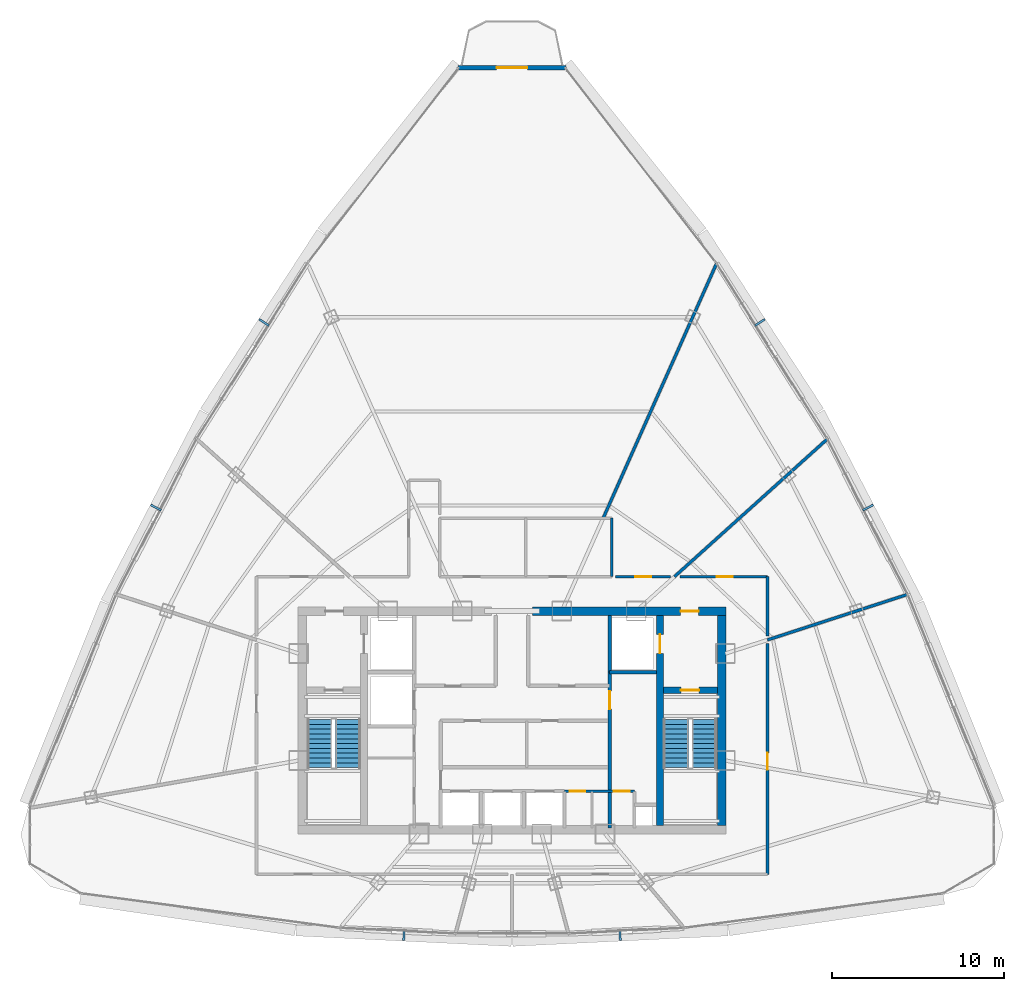
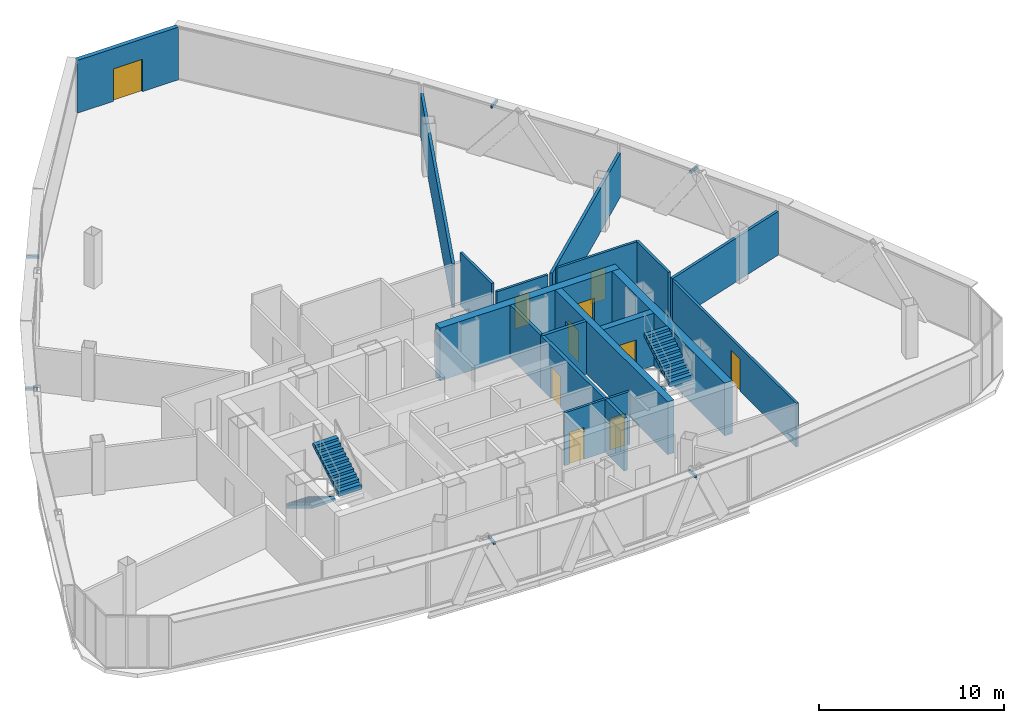
# One storey, part 23 of 26: 17 walls, 10 doors, 6 discrete accessories, 4 stair flights, 10 openings, 2 elements without a shape of their own.
"""IFC4 building model written with IfcOpenShell, lengths in metres."""

from ifc_helpers import new_model, si_unit, direction, frame, frame_2d, origin, origin_with_axes, origin_2d, place, context, subcontext, project, spatial, polyline, rectangle, outline, extrude, source, transform, mapped, material, layer, layer_set, type_object, element, fill, aggregate, save


model = new_model("IFC4")

# Units and contexts
model_context = context("Model", 3, precision=1e-05, world=origin(), true_north=direction((0.0, 1.0)))
body_context = subcontext(model_context, "Body", "Model", "MODEL_VIEW")
ifc_project = project(units=[si_unit("LENGTHUNIT", "METRE"), si_unit("AREAUNIT", "SQUARE_METRE"), si_unit("VOLUMEUNIT", "CUBIC_METRE"), si_unit("PLANEANGLEUNIT", "RADIAN"), si_unit("MASSUNIT", "GRAM", prefix="KILO"), si_unit("THERMODYNAMICTEMPERATUREUNIT", "KELVIN"), si_unit("POWERUNIT", "WATT")], contexts=[model_context])

# Site, building, storey
site_placement = place(None, origin())
site = spatial("IfcSite", under=ifc_project, at=site_placement, CompositionType="ELEMENT")
building_placement = place(site_placement, origin())
building = spatial("IfcBuilding", under=site, at=building_placement, Name="Yunzhuo Pagoda Commons", CompositionType="ELEMENT")
storey_placement = place(building_placement, frame((0.0, 0.0, 340.510009765625)))
storey = spatial("IfcBuildingStorey", under=building, at=storey_placement, Name="L85", CompositionType="ELEMENT", Elevation=340.510009765625)

# Wall, opening, door
ifc_material_1 = material(Name="Precast concrete C40", Category="concrete")
ifc_layer_1 = layer(ifc_material_1, 0.260009765625)
ifc_layer_set_1 = layer_set([ifc_layer_1], Name="Precast concrete C40")
wall_type_1 = type_object("IfcWallType", Name="W-BAL1 Corner Balcony Threshold Wall 260", PredefinedType="STANDARD", material=ifc_layer_set_1)
wall_1_placement = place(storey_placement, frame((51.146484375, 71.78125, 0.0), z_axis=(0.0, 0.0, 1.0), x_axis=(-1.0, 0.0, 0.0)))
wall_1 = element("IfcWall", 1, at=wall_1_placement, inside=storey, type_object=wall_type_1, Name="L85 corner balcony wall V3", PredefinedType="STANDARD", context=body_context, shape_type="SweptSolid", body=[
    extrude(rectangle(XDim=6.29296875, YDim=0.260009765625, at=frame_2d((3.146484375, 0.0))), origin(), (0.0, 0.0, 1.0), 3.489990234375),
])
opening_1_placement = place(wall_1_placement, frame((2.246337890625, 0.0, 0.0)))
opening_1 = element("IfcOpeningElement", 2, at=opening_1_placement, cuts=wall_1, Name="Opening D-BAL1", PredefinedType="OPENING", context=body_context, shape_type="SweptSolid", body=[
    extrude(rectangle(XDim=1.800048828125, YDim=2.14990234375, at=frame_2d((0.89990234375, 1.074951171875))), frame((0.0, 0.14013671875, 0.0), z_axis=(0.0, -1.0, 0.0), x_axis=(1.0, 0.0, 0.0)), (0.0, 0.0, 1.0), 0.280029296875),
])
ifc_material_2 = material(Name="Anodized aluminium frame and tempered glazed leaf", Category="aluminium")
door_type_1 = type_object("IfcDoorType", Name="D-BAL1 Corner Balcony Sliding Glazed Door 1800x2150", OperationType="DOUBLE_DOOR_SLIDING", PredefinedType="DOOR", material=ifc_material_2)
shared_shape_1 = source(origin(), body_context, "Body", "SweptSolid", [
    extrude(rectangle(XDim=1.800048828125, YDim=2.14990234375, at=frame_2d((0.89990234375, 1.074951171875))), frame((0.0, 0.02490234375, 0.0), z_axis=(0.0, -1.0, 0.0), x_axis=(1.0, 0.0, 0.0)), (0.0, 0.0, 1.0), 0.050048828125),
])
door_1_placement = place(opening_1_placement, origin_with_axes())
door_1 = element("IfcDoor", 3, at=door_1_placement, inside=storey, type_object=door_type_1, Name="L85 corner balcony sliding door V3", OperationType="DOUBLE_DOOR_SLIDING", OverallHeight=2.14990234375, OverallWidth=1.800048828125, PredefinedType="DOOR", context=body_context, shape_type="MappedRepresentation", body=[
    mapped(shared_shape_1, transform((0.0, 0.0, 0.0), scale=1.0)),
])
fill(opening_1, door_1)

ifc_material_3 = material(Name="Concrete C50", Category="concrete")
ifc_layer_2 = layer(ifc_material_3, 0.5)
ifc_layer_set_2 = layer_set([ifc_layer_2], Name="Concrete C50")
wall_type_2 = type_object("IfcWallType", Name="W-C03 Upper Core Shear Wall 500", PredefinedType="SHEAR", material=ifc_layer_set_2)
wall_2_placement = place(storey_placement, frame((49.199951171875, 40.199951171875, 0.0), z_axis=(0.0, 0.0, 1.0), x_axis=(1.0, 0.0, 0.0)))
wall_2 = element("IfcWall", 4, at=wall_2_placement, inside=storey, type_object=wall_type_2, Name="L85 core shear wall NE", PredefinedType="SHEAR", context=body_context, shape_type="SweptSolid", body=[
    extrude(rectangle(XDim=11.25, YDim=0.5, at=frame_2d((5.625, 0.0))), origin(), (0.0, 0.0, 1.0), 3.489990234375),
])
opening_2_placement = place(wall_2_placement, frame((8.60009765625, 0.0, 0.0)))
opening_2 = element("IfcOpeningElement", 5, at=opening_2_placement, cuts=wall_2, Name="Opening D-02", PredefinedType="OPENING", context=body_context, shape_type="SweptSolid", body=[
    extrude(rectangle(XDim=1.050048828125, YDim=2.10009765625, at=frame_2d((0.52490234375, 1.050048828125))), frame((0.0, 0.260009765625, 0.0), z_axis=(0.0, -1.0, 0.0), x_axis=(1.0, 0.0, 0.0)), (0.0, 0.0, 1.0), 0.52001953125),
])
ifc_material_4 = material(Name="Galvanized fire-resisting metal leaf")
door_type_2 = type_object("IfcDoorType", Name="D-02 Firefighting Lobby & Refuge Fire Door 1050x2100", OperationType="NOTDEFINED", PredefinedType="DOOR", material=ifc_material_4)
shared_shape_2 = source(origin(), body_context, "Body", "SweptSolid", [
    extrude(rectangle(XDim=1.050048828125, YDim=2.10009765625, at=frame_2d((0.52490234375, 1.050048828125))), frame((0.0, 0.02490234375, 0.0), z_axis=(0.0, -1.0, 0.0), x_axis=(1.0, 0.0, 0.0)), (0.0, 0.0, 1.0), 0.050048828125),
])
door_2_placement = place(opening_2_placement, frame((1.050048828125, 0.0, 0.0), z_axis=(0.0, 0.0, 1.0), x_axis=(-1.0, 0.0, 0.0)))
door_2 = element("IfcDoor", 6, at=door_2_placement, inside=storey, type_object=door_type_2, Name="L85 Firefighting Lobby 2 fire door", OperationType="SINGLE_SWING_RIGHT", OverallHeight=2.10009765625, OverallWidth=1.050048828125, PredefinedType="DOOR", context=body_context, shape_type="MappedRepresentation", body=[
    mapped(shared_shape_2, transform((0.0, 0.0, 0.0), scale=1.0)),
])
fill(opening_2, door_2)

# Wall
wall_3_placement = place(storey_placement, frame((60.199951171875, 27.75, 0.0), z_axis=(0.0, 0.0, 1.0), x_axis=(0.0, 1.0, 0.0)))
element("IfcWall", 7, at=wall_3_placement, inside=storey, type_object=wall_type_2, Name="L85 core shear wall E", PredefinedType="SHEAR", context=body_context, shape_type="SweptSolid", body=[
    extrude(rectangle(XDim=12.199951171875, YDim=0.5, at=frame_2d((6.10009765625, 0.0))), origin(), (0.0, 0.0, 1.0), 3.489990234375),
])

# Wall, openings, doors
ifc_material_5 = material(Name="Gypsum plasterboard on acoustic stud")
ifc_layer_3 = layer(ifc_material_5, 0.14990234375)
ifc_layer_set_3 = layer_set([ifc_layer_3], Name="Gypsum plasterboard on acoustic stud")
wall_type_3 = type_object("IfcWallType", Name="W-COR3 High-Zone Rated Corridor Wall 150", PredefinedType="PARTITIONING", material=ifc_layer_set_3)
wall_4_placement = place(storey_placement, frame((51.050048828125, 29.719970703125, 0.0), z_axis=(0.0, 0.0, 1.0), x_axis=(1.0, 0.0, 0.0)))
wall_4 = element("IfcWall", 8, at=wall_4_placement, inside=storey, type_object=wall_type_3, Name="L85 interior wall IW-L85-CSES", PredefinedType="PARTITIONING", context=body_context, shape_type="SweptSolid", body=[
    extrude(rectangle(XDim=4.070068359375, YDim=0.14990234375, at=frame_2d((2.03515625, 0.0))), origin(), (0.0, 0.0, 1.0), 3.489990234375),
])
opening_3_placement = place(wall_4_placement, frame((0.300048828125, 0.0, 0.0)))
opening_3 = element("IfcOpeningElement", 9, at=opening_3_placement, cuts=wall_4, Name="Opening D-03", PredefinedType="OPENING", context=body_context, shape_type="SweptSolid", body=[
    extrude(rectangle(XDim=0.89990234375, YDim=2.10009765625, at=frame_2d((0.449951171875, 1.050048828125))), frame((0.0, 0.0849609375, 0.0), z_axis=(0.0, -1.0, 0.0), x_axis=(1.0, 0.0, 0.0)), (0.0, 0.0, 1.0), 0.169921875),
])
opening_4_placement = place(wall_4_placement, frame((2.860107421875, 0.0, 0.0)))
opening_4 = element("IfcOpeningElement", 10, at=opening_4_placement, cuts=wall_4, Name="Opening D-11", PredefinedType="OPENING", context=body_context, shape_type="SweptSolid", body=[
    extrude(rectangle(XDim=0.93994140625, YDim=2.10009765625, at=frame_2d((0.469970703125, 1.050048828125))), frame((0.0, 0.0849609375, 0.0), z_axis=(0.0, -1.0, 0.0), x_axis=(1.0, 0.0, 0.0)), (0.0, 0.0, 1.0), 0.169921875),
])
door_type_3 = type_object("IfcDoorType", Name="D-03 Core Service Fire Door 900x2100", OperationType="NOTDEFINED", PredefinedType="DOOR", material=ifc_material_4)
shared_shape_3 = source(origin(), body_context, "Body", "SweptSolid", [
    extrude(rectangle(XDim=0.89990234375, YDim=2.10009765625, at=frame_2d((0.449951171875, 1.050048828125))), frame((0.0, 0.02490234375, 0.0), z_axis=(0.0, -1.0, 0.0), x_axis=(1.0, 0.0, 0.0)), (0.0, 0.0, 1.0), 0.050048828125),
])
door_3_placement = place(opening_3_placement, origin_with_axes())
door_3 = element("IfcDoor", 11, at=door_3_placement, inside=storey, type_object=door_type_3, Name="L85 cleaner door", OperationType="SINGLE_SWING_LEFT", OverallHeight=2.10009765625, OverallWidth=0.89990234375, PredefinedType="DOOR", context=body_context, shape_type="MappedRepresentation", body=[
    mapped(shared_shape_3, transform((0.0, 0.0, 0.0), scale=1.0)),
])
fill(opening_3, door_3)
door_type_4 = type_object("IfcDoorType", Name="D-11 Accessible Washroom Fire Door 940x2100", OperationType="NOTDEFINED", PredefinedType="DOOR", material=ifc_material_4)
shared_shape_4 = source(origin(), body_context, "Body", "SweptSolid", [
    extrude(rectangle(XDim=0.93994140625, YDim=2.10009765625, at=frame_2d((0.469970703125, 1.050048828125))), frame((0.0, 0.02490234375, 0.0), z_axis=(0.0, -1.0, 0.0), x_axis=(1.0, 0.0, 0.0)), (0.0, 0.0, 1.0), 0.050048828125),
])
door_4_placement = place(opening_4_placement, origin_with_axes())
door_4 = element("IfcDoor", 12, at=door_4_placement, inside=storey, type_object=door_type_4, Name="L85 core WC door", OperationType="SINGLE_SWING_RIGHT", OverallHeight=2.10009765625, OverallWidth=0.93994140625, PredefinedType="DOOR", context=body_context, shape_type="MappedRepresentation", body=[
    mapped(shared_shape_4, transform((0.0, 0.0, 0.0), scale=1.0)),
])
fill(opening_4, door_4)

# Wall
wall_5_placement = place(storey_placement, frame((53.800048828125, 42.199951171875, 0.0), z_axis=(0.0, 0.0, 1.0), x_axis=(0.0, 1.0, 0.0)))
element("IfcWall", 13, at=wall_5_placement, inside=storey, type_object=wall_type_3, Name="L85 interior wall IW-L85-TFEE", PredefinedType="PARTITIONING", context=body_context, shape_type="SweptSolid", body=[
    extrude(rectangle(XDim=3.400146484375, YDim=0.14990234375, at=frame_2d((1.7001953125, 0.0))), origin(), (0.0, 0.0, 1.0), 3.489990234375),
])

# Wall, opening, door
wall_6_placement = place(storey_placement, frame((54.02001953125, 42.199951171875, 0.0), z_axis=(0.0, 0.0, 1.0), x_axis=(1.0, 0.0, 0.0)))
wall_6 = element("IfcWall", 14, at=wall_6_placement, inside=storey, type_object=wall_type_3, Name="L85 interior wall IW-L85-CWL09", PredefinedType="PARTITIONING", context=body_context, shape_type="SweptSolid", body=[
    extrude(rectangle(XDim=3.200439453125, YDim=0.14990234375, at=frame_2d((1.60009765625, 0.0))), origin(), (0.0, 0.0, 1.0), 2.889892578125),
])
opening_5_placement = place(wall_6_placement, frame((1.14013671875, 0.0, 0.0)))
opening_5 = element("IfcOpeningElement", 15, at=opening_5_placement, cuts=wall_6, Name="Opening D-04", PredefinedType="OPENING", context=body_context, shape_type="SweptSolid", body=[
    extrude(rectangle(XDim=0.919921875, YDim=2.10009765625, at=frame_2d((0.4599609375, 1.050048828125))), frame((0.0, 0.0849609375, 0.0), z_axis=(0.0, -1.0, 0.0), x_axis=(1.0, 0.0, 0.0)), (0.0, 0.0, 1.0), 0.169921875),
])
ifc_material_6 = material(Name="Powder-coated aluminium and timber acoustic leaf", Category="wood")
door_type_5 = type_object("IfcDoorType", Name="D-04 Bedroom & Study Interior Door 920x2100", OperationType="NOTDEFINED", PredefinedType="DOOR", material=ifc_material_6)
shared_shape_5 = source(origin(), body_context, "Body", "SweptSolid", [
    extrude(rectangle(XDim=0.919921875, YDim=2.10009765625, at=frame_2d((0.4599609375, 1.050048828125))), frame((0.0, 0.02490234375, 0.0), z_axis=(0.0, -1.0, 0.0), x_axis=(1.0, 0.0, 0.0)), (0.0, 0.0, 1.0), 0.050048828125),
])
door_5_placement = place(opening_5_placement, origin_with_axes())
door_5 = element("IfcDoor", 16, at=door_5_placement, inside=storey, type_object=door_type_5, Name="L85 seminar room 02 door", OperationType="SINGLE_SWING_LEFT", OverallHeight=2.10009765625, OverallWidth=0.919921875, PredefinedType="DOOR", context=body_context, shape_type="MappedRepresentation", body=[
    mapped(shared_shape_5, transform((0.0, 0.0, 0.0), scale=1.0)),
])
fill(opening_5, door_5)

wall_7_placement = place(storey_placement, frame((57.76904296875, 42.199951171875, 0.0), z_axis=(0.0, 0.0, 1.0), x_axis=(1.0, 0.0, 0.0)))
wall_7 = element("IfcWall", 17, at=wall_7_placement, inside=storey, type_object=wall_type_3, Name="L85 interior wall IW-L85-CWL10", PredefinedType="PARTITIONING", context=body_context, shape_type="SweptSolid", body=[
    extrude(rectangle(XDim=5.0810546875, YDim=0.14990234375, at=frame_2d((2.54052734375, 0.0))), origin(), (0.0, 0.0, 1.0), 3.139892578125),
])
opening_6_placement = place(wall_7_placement, frame((2.14599609375, 0.0, 0.0)))
opening_6 = element("IfcOpeningElement", 18, at=opening_6_placement, cuts=wall_7, Name="Opening D-04", PredefinedType="OPENING", context=body_context, shape_type="SweptSolid", body=[
    extrude(rectangle(XDim=0.919921875, YDim=2.10009765625, at=frame_2d((0.4599609375, 1.050048828125))), frame((0.0, 0.0849609375, 0.0), z_axis=(0.0, -1.0, 0.0), x_axis=(1.0, 0.0, 0.0)), (0.0, 0.0, 1.0), 0.169921875),
])
door_6_placement = place(opening_6_placement, origin_with_axes())
door_6 = element("IfcDoor", 19, at=door_6_placement, inside=storey, type_object=door_type_5, Name="L85 seminar room 01 door", OperationType="SINGLE_SWING_RIGHT", OverallHeight=2.10009765625, OverallWidth=0.919921875, PredefinedType="DOOR", context=body_context, shape_type="MappedRepresentation", body=[
    mapped(shared_shape_5, transform((0.0, 0.0, 0.0), scale=1.0)),
])
fill(opening_6, door_6)

# Wall
wall_8_placement = place(storey_placement, frame((62.85009765625, 42.199951171875, 0.0), z_axis=(0.0, 0.0, 1.0), x_axis=(0.0, -1.0, 0.0)))
element("IfcWall", 20, at=wall_8_placement, inside=storey, type_object=wall_type_3, Name="L85 interior wall IW-L85-CWL11", PredefinedType="PARTITIONING", context=body_context, shape_type="SweptSolid", body=[
    extrude(rectangle(XDim=3.443603515625, YDim=0.14990234375, at=frame_2d((1.7216796875, 0.0))), origin(), (0.0, 0.0, 1.0), 3.139892578125),
])

# Wall, opening, door
wall_9_placement = place(storey_placement, frame((62.85009765625, 38.305419921875, 0.0), z_axis=(0.0, 0.0, 1.0), x_axis=(0.0, -1.0, 0.0)))
wall_9 = element("IfcWall", 21, at=wall_9_placement, inside=storey, type_object=wall_type_3, Name="L85 interior wall IW-L85-CWL12", PredefinedType="PARTITIONING", context=body_context, shape_type="SweptSolid", body=[
    extrude(rectangle(XDim=13.405517578125, YDim=0.14990234375, at=frame_2d((6.70263671875, 0.0))), origin(), (0.0, 0.0, 1.0), 2.889892578125),
])
opening_7_placement = place(wall_9_placement, frame((6.347900390625, 0.0, 0.0)))
opening_7 = element("IfcOpeningElement", 22, at=opening_7_placement, cuts=wall_9, Name="Opening D-08", PredefinedType="OPENING", context=body_context, shape_type="SweptSolid", body=[
    extrude(rectangle(XDim=0.97998046875, YDim=2.1201171875, at=frame_2d((0.489990234375, 1.06005859375))), frame((0.0, 0.0849609375, 0.0), z_axis=(0.0, -1.0, 0.0), x_axis=(1.0, 0.0, 0.0)), (0.0, 0.0, 1.0), 0.169921875),
])
door_type_6 = type_object("IfcDoorType", Name="D-08 High-Zone Suite Entrance Fire Door 980x2120", OperationType="NOTDEFINED", PredefinedType="DOOR", material=ifc_material_4)
shared_shape_6 = source(origin(), body_context, "Body", "SweptSolid", [
    extrude(rectangle(XDim=0.97998046875, YDim=2.1201171875, at=frame_2d((0.489990234375, 1.06005859375))), frame((0.0, 0.02490234375, 0.0), z_axis=(0.0, -1.0, 0.0), x_axis=(1.0, 0.0, 0.0)), (0.0, 0.0, 1.0), 0.050048828125),
])
door_7_placement = place(opening_7_placement, origin_with_axes())
door_7 = element("IfcDoor", 23, at=door_7_placement, inside=storey, type_object=door_type_6, Name="L85 Academic Reading Commons 2 door", OperationType="SINGLE_SWING_LEFT", OverallHeight=2.1201171875, OverallWidth=0.97998046875, PredefinedType="DOOR", context=body_context, shape_type="MappedRepresentation", body=[
    mapped(shared_shape_6, transform((0.0, 0.0, 0.0), scale=1.0)),
])
fill(opening_7, door_7)

# Walls
ifc_layer_4 = layer(ifc_material_5, 0.169921875)
ifc_layer_set_4 = layer_set([ifc_layer_4], Name="Gypsum plasterboard on acoustic stud")
wall_type_4 = type_object("IfcWallType", Name="W-PRT4 High-Zone Demising Wall 170", PredefinedType="PARTITIONING", material=ifc_layer_set_4)
wall_10_placement = place(storey_placement, frame((62.85009765625, 38.525146484375, 0.0), z_axis=(0.0, 0.0, 1.0), x_axis=(0.951059599238, 0.309007505891, 0.0)))
element("IfcWall", 24, at=wall_10_placement, inside=storey, type_object=wall_type_4, Name="L85 interior wall IW-L85-RAD01", PredefinedType="PARTITIONING", context=body_context, shape_type="SweptSolid", body=[
    extrude(rectangle(XDim=8.572265625, YDim=0.169921875, at=frame_2d((4.2861328125, 0.0))), origin(), (0.0, 0.0, 1.0), 2.889892578125),
])
wall_11_placement = place(storey_placement, frame((57.440185546875, 42.199951171875, 0.0), z_axis=(0.0, 0.0, 1.0), x_axis=(0.743141978473, 0.669133768264, 0.0)))
element("IfcWall", 25, at=wall_11_placement, inside=storey, type_object=wall_type_4, Name="L85 interior wall IW-L85-RAD02", PredefinedType="PARTITIONING", context=body_context, shape_type="SweptSolid", body=[
    extrude(rectangle(XDim=11.96826171875, YDim=0.169921875, at=frame_2d((5.984130859375, 0.0))), origin(), (0.0, 0.0, 1.0), 2.889892578125),
])
wall_12_placement = place(storey_placement, frame((53.298095703125, 45.60009765625, 0.0), z_axis=(0.0, 0.0, 1.0), x_axis=(0.40675009841, 0.913539466823, 0.0)))
element("IfcWall", 26, at=wall_12_placement, inside=storey, type_object=wall_type_4, Name="L85 interior wall IW-L85-RAD03", PredefinedType="PARTITIONING", context=body_context, shape_type="SweptSolid", body=[
    extrude(rectangle(XDim=16.21923828125, YDim=0.169921875, at=frame_2d((8.109619140625, 0.0))), origin(), (0.0, 0.0, 1.0), 2.889892578125),
])

# Wall, opening, door
ifc_material_7 = material(Name="Concrete C60", Category="concrete")
ifc_layer_5 = layer(ifc_material_7, 0.39990234375)
ifc_layer_set_5 = layer_set([ifc_layer_5], Name="Concrete C60")
wall_type_5 = type_object("IfcWallType", Name="W-S01 Internal Core Shear Web 400", PredefinedType="SHEAR", material=ifc_layer_set_5)
wall_13_placement = place(storey_placement, frame((56.60009765625, 27.75, 0.0), z_axis=(0.0, 0.0, 1.0), x_axis=(0.0, 1.0, 0.0)))
wall_13 = element("IfcWall", 27, at=wall_13_placement, inside=storey, type_object=wall_type_5, Name="L85 core shear wall WEBE", PredefinedType="SHEAR", context=body_context, shape_type="SweptSolid", body=[
    extrude(rectangle(XDim=12.199951171875, YDim=0.39990234375, at=frame_2d((6.10009765625, 0.0))), origin(), (0.0, 0.0, 1.0), 3.489990234375),
])
opening_8_placement = place(wall_13_placement, frame((10.0, 0.0, 0.0)))
opening_8 = element("IfcOpeningElement", 28, at=opening_8_placement, cuts=wall_13, Name="Opening LD-01", PredefinedType="OPENING", context=body_context, shape_type="SweptSolid", body=[
    extrude(rectangle(XDim=1.10009765625, YDim=2.10009765625, at=frame_2d((0.550048828125, 1.050048828125))), frame((0.0, 0.2099609375, 0.0), z_axis=(0.0, -1.0, 0.0), x_axis=(1.0, 0.0, 0.0)), (0.0, 0.0, 1.0), 0.419921875),
])
door_type_7 = type_object("IfcDoorType", Name="LD-01 Firefighting Lift Landing Door 1100x2100", OperationType="DOUBLE_DOOR_SLIDING", PredefinedType="DOOR", material=ifc_material_4)
shared_shape_7 = source(origin(), body_context, "Body", "SweptSolid", [
    extrude(rectangle(XDim=1.10009765625, YDim=2.10009765625, at=frame_2d((0.550048828125, 1.050048828125))), frame((0.0, 0.02490234375, 0.0), z_axis=(0.0, -1.0, 0.0), x_axis=(1.0, 0.0, 0.0)), (0.0, 0.0, 1.0), 0.050048828125),
])
door_8_placement = place(opening_8_placement, origin_with_axes())
door_8 = element("IfcDoor", 29, at=door_8_placement, inside=storey, type_object=door_type_7, Name="L85 Firefighting lift FL-2 landing door", OperationType="DOUBLE_DOOR_SLIDING", OverallHeight=2.10009765625, OverallWidth=1.10009765625, PredefinedType="DOOR", context=body_context, shape_type="MappedRepresentation", body=[
    mapped(shared_shape_7, transform((0.0, 0.0, 0.0), scale=1.0)),
])
fill(opening_8, door_8)

wall_14_placement = place(storey_placement, frame((56.800048828125, 35.60009765625, 0.0), z_axis=(0.0, 0.0, 1.0), x_axis=(1.0, 0.0, 0.0)))
wall_14 = element("IfcWall", 30, at=wall_14_placement, inside=storey, type_object=wall_type_5, Name="L85 core shear wall STE", PredefinedType="SHEAR", context=body_context, shape_type="SweptSolid", body=[
    extrude(rectangle(XDim=3.14990234375, YDim=0.39990234375, at=frame_2d((1.574951171875, 0.0))), origin(), (0.0, 0.0, 1.0), 3.489990234375),
])
opening_9_placement = place(wall_14_placement, frame((1.02001953125, 0.0, 0.0)))
opening_9 = element("IfcOpeningElement", 31, at=opening_9_placement, cuts=wall_14, Name="Opening D-01", PredefinedType="OPENING", context=body_context, shape_type="SweptSolid", body=[
    extrude(rectangle(XDim=1.050048828125, YDim=2.10009765625, at=frame_2d((0.52490234375, 1.050048828125))), frame((0.0, 0.2099609375, 0.0), z_axis=(0.0, -1.0, 0.0), x_axis=(1.0, 0.0, 0.0)), (0.0, 0.0, 1.0), 0.419921875),
])
door_type_8 = type_object("IfcDoorType", Name="D-01 Smokeproof Stair Fire Door 1050x2100", OperationType="NOTDEFINED", PredefinedType="DOOR", material=ifc_material_4)
door_9_placement = place(opening_9_placement, frame((1.050048828125, 0.0, 0.0), z_axis=(0.0, 0.0, 1.0), x_axis=(-1.0, 0.0, 0.0)))
door_9 = element("IfcDoor", 32, at=door_9_placement, inside=storey, type_object=door_type_8, Name="L85 Stair ST2 fire door", OperationType="SINGLE_SWING_RIGHT", OverallHeight=2.10009765625, OverallWidth=1.050048828125, PredefinedType="DOOR", context=body_context, shape_type="MappedRepresentation", body=[
    mapped(shared_shape_2, transform((0.0, 0.0, 0.0), scale=1.0)),
])
fill(opening_9, door_9)

# Walls
ifc_material_8 = material(Name="Concrete C40", Category="concrete")
ifc_layer_6 = layer(ifc_material_8, 0.199951171875)
ifc_layer_set_6 = layer_set([ifc_layer_6], Name="Concrete C40")
wall_type_6 = type_object("IfcWallType", Name="W-SHF Shaft & Stair Enclosure Wall 200", PredefinedType="SOLIDWALL", material=ifc_layer_set_6)
wall_15_placement = place(storey_placement, frame((53.679931640625, 36.64990234375, 0.0), z_axis=(0.0, 0.0, 1.0), x_axis=(0.0, 1.0, 0.0)))
element("IfcWall", 33, at=wall_15_placement, inside=storey, type_object=wall_type_6, Name="L85 interior wall IW-L85-FL2W", PredefinedType="SOLIDWALL", context=body_context, shape_type="SweptSolid", body=[
    extrude(rectangle(XDim=3.300048828125, YDim=0.199951171875, at=frame_2d((1.64990234375, 0.0))), origin(), (0.0, 0.0, 1.0), 3.489990234375),
])
wall_16_placement = place(storey_placement, frame((53.679931640625, 36.64990234375, 0.0), z_axis=(0.0, 0.0, 1.0), x_axis=(1.0, 0.0, 0.0)))
element("IfcWall", 34, at=wall_16_placement, inside=storey, type_object=wall_type_6, Name="L85 interior wall IW-L85-FL2S", PredefinedType="SOLIDWALL", context=body_context, shape_type="SweptSolid", body=[
    extrude(rectangle(XDim=2.719970703125, YDim=0.199951171875, at=frame_2d((1.35986328125, 0.0))), origin(), (0.0, 0.0, 1.0), 3.489990234375),
])

# Wall, opening, door
wall_17_placement = place(storey_placement, frame((53.679931640625, 27.60009765625, 0.0), z_axis=(0.0, 0.0, 1.0), x_axis=(0.0, 1.0, 0.0)))
wall_17 = element("IfcWall", 35, at=wall_17_placement, inside=storey, type_object=wall_type_6, Name="L85 interior wall IW-L85-PLME", PredefinedType="SOLIDWALL", context=body_context, shape_type="SweptSolid", body=[
    extrude(rectangle(XDim=9.0498046875, YDim=0.199951171875, at=frame_2d((4.52490234375, 0.0))), origin(), (0.0, 0.0, 1.0), 3.489990234375),
])
opening_10_placement = place(wall_17_placement, frame((6.89990234375, 0.0, 0.0)))
opening_10 = element("IfcOpeningElement", 36, at=opening_10_placement, cuts=wall_17, Name="Opening D-02", PredefinedType="OPENING", context=body_context, shape_type="SweptSolid", body=[
    extrude(rectangle(XDim=1.050048828125, YDim=2.10009765625, at=frame_2d((0.52490234375, 1.050048828125))), frame((0.0, 0.10986328125, 0.0), z_axis=(0.0, -1.0, 0.0), x_axis=(1.0, 0.0, 0.0)), (0.0, 0.0, 1.0), 0.219970703125),
])
door_10_placement = place(opening_10_placement, origin_with_axes())
door_10 = element("IfcDoor", 37, at=door_10_placement, inside=storey, type_object=door_type_2, Name="L85 High-bank lift hall door", OperationType="SINGLE_SWING_RIGHT", OverallHeight=2.10009765625, OverallWidth=1.050048828125, PredefinedType="DOOR", context=body_context, shape_type="MappedRepresentation", body=[
    mapped(shared_shape_2, transform((0.0, 0.0, 0.0), scale=1.0)),
])
fill(opening_10, door_10)

# Stair, stair flights
stair_type_1 = type_object("IfcStairType", Name="ST-C1 Core Smokeproof Stair ST1", PredefinedType="HALF_TURN_STAIR", material=ifc_material_8)
stair_1_placement = place(storey_placement, origin())
stair_1 = element("IfcStair", 38, at=stair_1_placement, inside=storey, type_object=stair_type_1, Name="L85 Core smokeproof stair ST1", PredefinedType="HALF_TURN_STAIR")
stair_flight_type_1 = type_object("IfcStairFlightType", Name="STF-C1 Core Stair Flight 1450", PredefinedType="STRAIGHT", material=ifc_material_8)
shared_shape_8 = source(origin(), body_context, "Body", "SweptSolid", [
    extrude(outline(polyline([(0.0, -0.14990234375), (0.0, 0.0), (0.0, 0.17041015625), (0.280029296875, 0.17041015625), (0.280029296875, 0.3408203125), (0.56005859375, 0.3408203125), (0.56005859375, 0.511474609375), (0.840087890625, 0.511474609375), (0.840087890625, 0.681884765625), (1.1201171875, 0.681884765625), (1.1201171875, 0.852294921875), (1.39990234375, 0.852294921875), (1.39990234375, 1.022705078125), (1.679931640625, 1.022705078125), (1.679931640625, 1.193115234375), (1.9599609375, 1.193115234375), (1.9599609375, 1.363525390625), (2.239990234375, 1.363525390625), (2.239990234375, 1.5341796875), (2.52001953125, 1.5341796875), (2.52001953125, 1.70458984375), (2.800048828125, 1.70458984375), (2.800048828125, 1.875), (2.800048828125, 1.529052734375), (0.288330078125, 0.0), (0.050048828125, -0.14990234375), (0.0, -0.14990234375)])), frame((0.0, 0.72509765625, 0.0), z_axis=(0.0, -1.0, 0.0), x_axis=(1.0, 0.0, 0.0)), (0.0, 0.0, 1.0), 1.449951171875),
])
stair_flight_1_placement = place(storey_placement, frame((36.824951171875, 33.89990234375, 0.0), z_axis=(0.0, 0.0, 1.0), x_axis=(0.0, -1.0, 0.0)))
stair_flight_1 = element("IfcStairFlight", 39, at=stair_flight_1_placement, type_object=stair_flight_type_1, Name="ST1 flight 1", NumberOfRisers=11, NumberOfTreads=10, PredefinedType="STRAIGHT", RiserHeight=0.170454545, TreadLength=0.28, context=body_context, shape_type="MappedRepresentation", body=[
    mapped(shared_shape_8, transform((0.0, 0.0, 0.0), scale=1.0)),
])
stair_flight_2_placement = place(storey_placement, frame((38.47509765625, 31.10009765625, 1.875), z_axis=(0.0, 0.0, 1.0), x_axis=(0.0, 1.0, 0.0)))
stair_flight_2 = element("IfcStairFlight", 40, at=stair_flight_2_placement, type_object=stair_flight_type_1, Name="ST1 flight 2", NumberOfRisers=11, NumberOfTreads=10, PredefinedType="STRAIGHT", RiserHeight=0.170454545, TreadLength=0.28, context=body_context, shape_type="MappedRepresentation", body=[
    mapped(shared_shape_8, transform((0.0, 0.0, 0.0), scale=1.0)),
])
aggregate(stair_1, [stair_flight_1, stair_flight_2])

stair_type_2 = type_object("IfcStairType", Name="ST-C2 Core Smokeproof Stair ST2", PredefinedType="HALF_TURN_STAIR", material=ifc_material_8)
stair_2_placement = place(storey_placement, origin())
stair_2 = element("IfcStair", 41, at=stair_2_placement, inside=storey, type_object=stair_type_2, Name="L85 Core smokeproof stair ST2", PredefinedType="HALF_TURN_STAIR")
stair_flight_type_2 = type_object("IfcStairFlightType", Name="STF-C2 Core Stair Flight 1460", PredefinedType="STRAIGHT", material=ifc_material_8)
stair_flight_3_placement = place(storey_placement, frame((57.52490234375, 33.89990234375, 0.0), z_axis=(0.0, 0.0, 1.0), x_axis=(0.0, -1.0, 0.0)))
stair_flight_3 = element("IfcStairFlight", 42, at=stair_flight_3_placement, type_object=stair_flight_type_2, Name="ST2 flight 1", NumberOfRisers=11, NumberOfTreads=10, PredefinedType="STRAIGHT", RiserHeight=0.170454545, TreadLength=0.28, context=body_context, shape_type="MappedRepresentation", body=[
    mapped(shared_shape_8, transform((0.0, 0.0, 0.0), scale=1.0)),
])
stair_flight_4_placement = place(storey_placement, frame((59.175048828125, 31.10009765625, 1.875), z_axis=(0.0, 0.0, 1.0), x_axis=(0.0, 1.0, 0.0)))
stair_flight_4 = element("IfcStairFlight", 43, at=stair_flight_4_placement, type_object=stair_flight_type_2, Name="ST2 flight 2", NumberOfRisers=11, NumberOfTreads=10, PredefinedType="STRAIGHT", RiserHeight=0.170454545, TreadLength=0.28, context=body_context, shape_type="MappedRepresentation", body=[
    mapped(shared_shape_8, transform((0.0, 0.0, 0.0), scale=1.0)),
])
aggregate(stair_2, [stair_flight_3, stair_flight_4])

# Discrete accessories
ifc_material_9 = material(Name="Anodized aluminium 6063-T6", Category="aluminium")
discrete_accessory_type = type_object("IfcDiscreteAccessoryType", Name="BK-SUN1 Sunshade Outrigger Bracket", PredefinedType="BRACKET", material=ifc_material_9)
shared_shape_9 = source(origin(), body_context, "Body", "SweptSolid", [
    extrude(rectangle(XDim=0.1201171875, YDim=0.679931640625, at=origin_2d()), origin(), (0.0, 0.0, 1.0), 0.179931640625),
])
for number, where, z_axis, x_axis, name in (
    (44, (41.718505859375, 21.380615234375, 3.27978515625), (0.0, 0.0, 1.0), (0.998818043775, -0.04860571396, 0.0), "L85 sunshade outrigger bracket F1.2"),
    (45, (54.281494140625, 21.380615234375, 3.27978515625), (0.0, 0.0, 1.0), (0.998818043775, 0.04860571396, 0.0), "L85 sunshade outrigger bracket F1.3"),
    (46, (68.697998046875, 46.220458984375, 3.27978515625), (0.0, 0.0, 1.0), (-0.461206683033, 0.88729273384, 0.0), "L85 sunshade outrigger bracket F2.2"),
    (47, (62.41650390625, 56.9814453125, 3.27978515625), (0.0, 0.0, 1.0), (-0.545853380833, 0.837880711458, 0.0), "L85 sunshade outrigger bracket F2.3"),
    (48, (33.58349609375, 56.9814453125, 3.27978515625), (0.0, 0.0, 1.0), (-0.545853380833, -0.837880711458, 0.0), "L85 sunshade outrigger bracket F3.2"),
    (49, (27.302001953125, 46.220458984375, 3.27978515625), (0.0, 0.0, 1.0), (-0.461206683033, -0.88729273384, 0.0), "L85 sunshade outrigger bracket F3.3"),
):
    element("IfcDiscreteAccessory", number, at=place(storey_placement, frame(where, z_axis=z_axis, x_axis=x_axis)), inside=storey, type_object=discrete_accessory_type, Name=name, PredefinedType="BRACKET", context=body_context, shape_type="MappedRepresentation", body=[
        mapped(shared_shape_9, transform((0.0, 0.0, 0.0), scale=1.0)),
    ])

save(model, "model.ifc")
